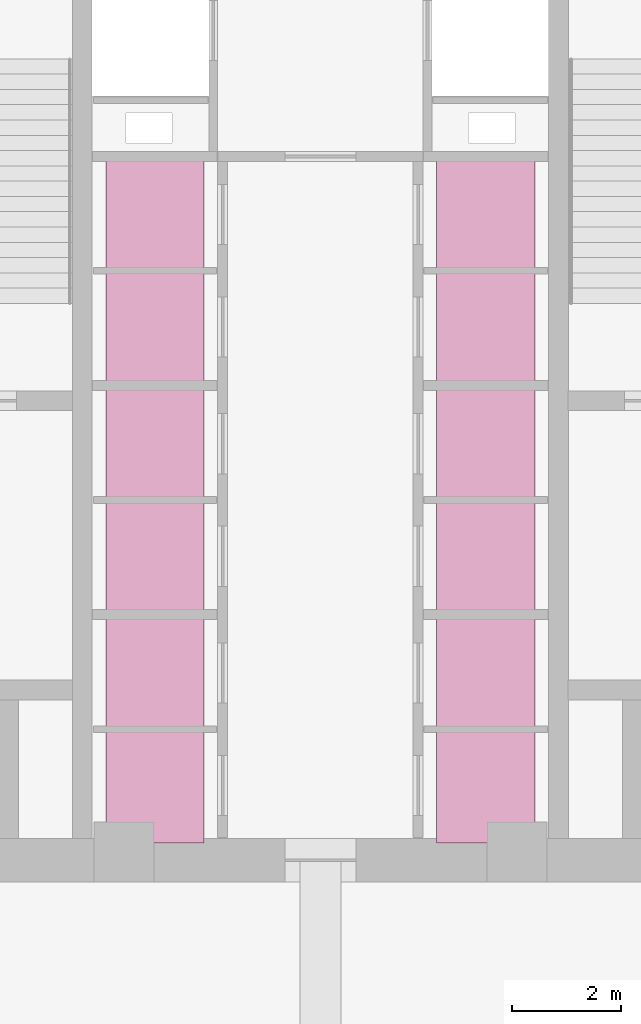
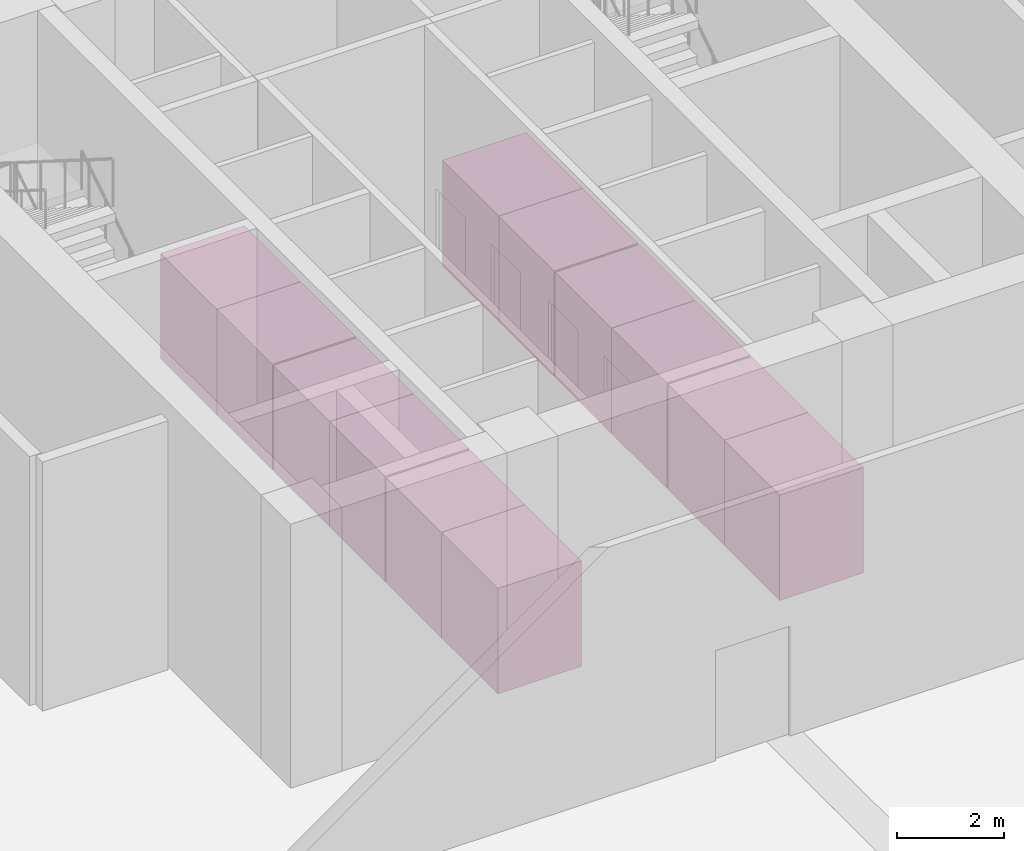
# One storey, part 25 of 25: 12 transport elements.
"""IFC4 building model written with IfcOpenShell, lengths in metres."""

from ifc_helpers import new_model, si_unit, direction, frame, origin, origin_2d, place, context, subcontext, project, spatial, rectangle, extrude, source, transform, mapped, material, type_object, element, save


model = new_model("IFC4")

# Units and contexts
model_context = context("Model", 3, precision=1e-05, world=origin(), true_north=direction((0.0, 1.0)))
body_context = subcontext(model_context, "Body", "Model", "MODEL_VIEW")
ifc_project = project(units=[si_unit("LENGTHUNIT", "METRE"), si_unit("AREAUNIT", "SQUARE_METRE"), si_unit("VOLUMEUNIT", "CUBIC_METRE"), si_unit("PLANEANGLEUNIT", "RADIAN"), si_unit("MASSUNIT", "GRAM", prefix="KILO"), si_unit("THERMODYNAMICTEMPERATUREUNIT", "KELVIN")], contexts=[model_context])

# Site, building, storey
site_placement = place(None, origin())
site = spatial("IfcSite", under=ifc_project, at=site_placement, CompositionType="ELEMENT")
building_placement = place(site_placement, origin())
building = spatial("IfcBuilding", under=site, at=building_placement, Name="Kosmvard Interchange Tower", CompositionType="ELEMENT")
storey_placement = place(building_placement, origin())
storey = spatial("IfcBuildingStorey", under=building, at=storey_placement, Name="L00", CompositionType="ELEMENT", Elevation=0.0)

# Transport elements
ifc_material = material(Name="Steel S355", Category="steel")
transport_element_type = type_object("IfcTransportElementType", Name="Zoned High-Speed Passenger Lift Car 1800x2100", PredefinedType="ELEVATOR", material=ifc_material)
shared_shape = source(origin(), body_context, "Body", "SweptSolid", [
    extrude(rectangle(XDim=1.800048828125, YDim=2.10009765625, at=origin_2d()), origin(), (0.0, 0.0, 1.0), 2.39990234375),
])
for number, where, z_axis, x_axis, name in (
    (1, (-3.030029296875, -7.030029296875, 0.0), (0.0, 0.0, 1.0), (1.0, 0.0, 0.0), "Low-Rise Passenger Lift PL-L1"),
    (2, (-3.030029296875, -4.969970703125, 0.0), (0.0, 0.0, 1.0), (1.0, 0.0, 0.0), "Low-Rise Passenger Lift PL-L2"),
    (3, (3.030029296875, -7.030029296875, 0.0), (0.0, 0.0, 1.0), (1.0, 0.0, 0.0), "Low-Rise Passenger Lift PL-L3"),
    (4, (3.030029296875, -4.969970703125, 0.0), (0.0, 0.0, 1.0), (1.0, 0.0, 0.0), "Low-Rise Passenger Lift PL-L4"),
    (5, (-3.030029296875, -2.830078125, 0.0), (0.0, 0.0, 1.0), (1.0, 0.0, 0.0), "Mid-Rise Passenger Lift PL-M1"),
    (6, (-3.030029296875, -0.77001953125, 0.0), (0.0, 0.0, 1.0), (1.0, 0.0, 0.0), "Mid-Rise Passenger Lift PL-M2"),
    (7, (3.030029296875, -2.830078125, 0.0), (0.0, 0.0, 1.0), (1.0, 0.0, 0.0), "Mid-Rise Passenger Lift PL-M3"),
    (8, (3.030029296875, -0.77001953125, 0.0), (0.0, 0.0, 1.0), (1.0, 0.0, 0.0), "Mid-Rise Passenger Lift PL-M4"),
    (9, (-3.030029296875, 1.3701171875, 0.0), (0.0, 0.0, 1.0), (1.0, 0.0, 0.0), "High-Rise Passenger Lift PL-H1"),
    (10, (-3.030029296875, 3.429931640625, 0.0), (0.0, 0.0, 1.0), (1.0, 0.0, 0.0), "High-Rise Passenger Lift PL-H2"),
    (11, (3.030029296875, 1.3701171875, 0.0), (0.0, 0.0, 1.0), (1.0, 0.0, 0.0), "High-Rise Passenger Lift PL-H3"),
    (12, (3.030029296875, 3.429931640625, 0.0), (0.0, 0.0, 1.0), (1.0, 0.0, 0.0), "High-Rise Passenger Lift PL-H4"),
):
    element("IfcTransportElement", number, at=place(storey_placement, frame(where, z_axis=z_axis, x_axis=x_axis)), inside=storey, type_object=transport_element_type, Name=name, PredefinedType="ELEVATOR", context=body_context, shape_type="MappedRepresentation", body=[
        mapped(shared_shape, transform((0.0, 0.0, 0.0), scale=1.0)),
    ])

save(model, "model.ifc")
